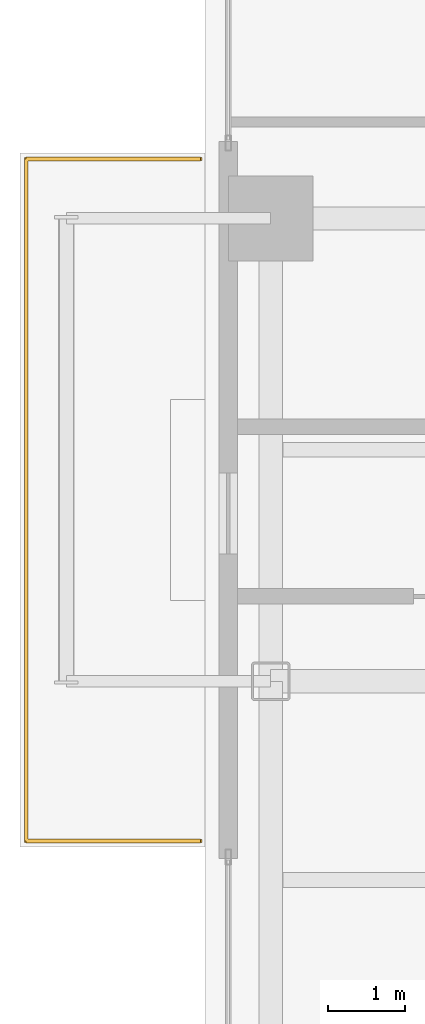
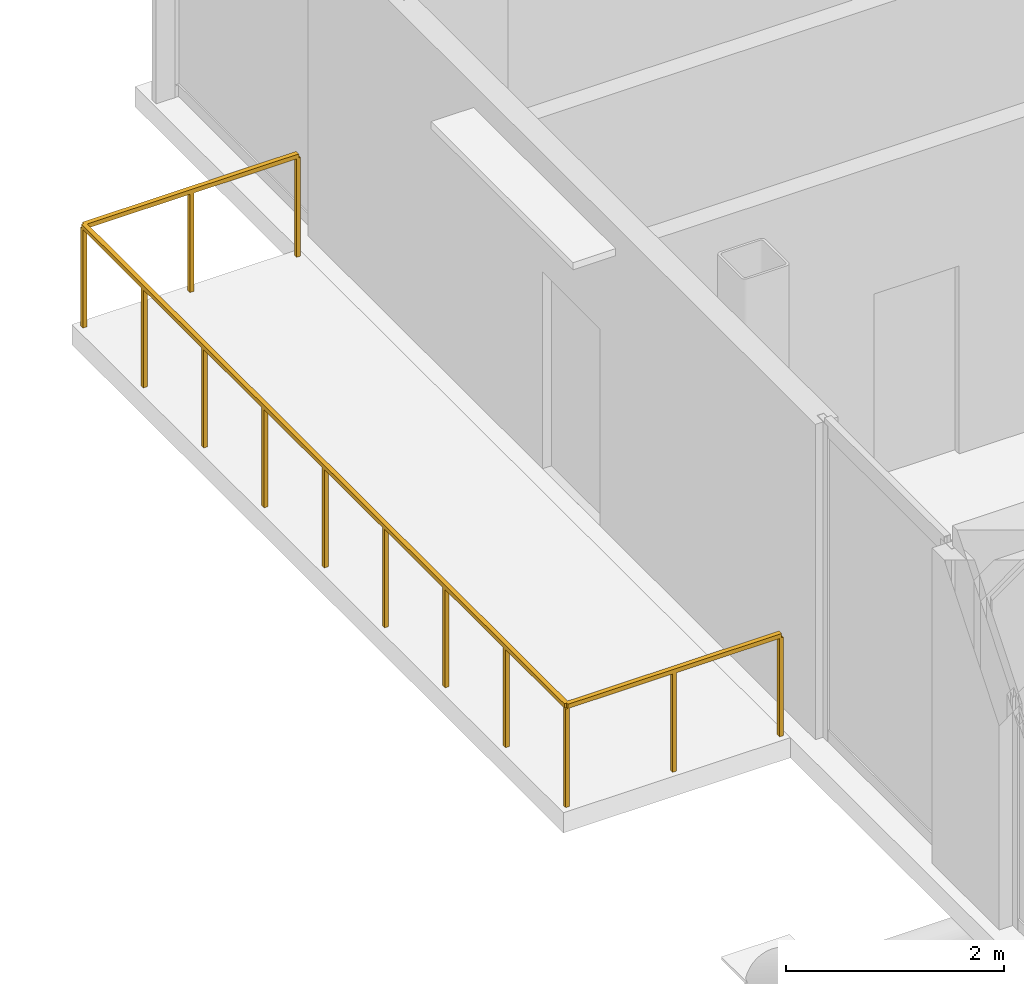
# One storey, part 28 of 28: 1 railing.
"""IFC4 building model written with IfcOpenShell, lengths in metres."""

from ifc_helpers import new_model, si_unit, direction, frame, origin, origin_2d, place, context, subcontext, project, spatial, rectangle, extrude, material, type_object, element, save


model = new_model("IFC4")

# Units and contexts
model_context = context("Model", 3, precision=1e-05, world=origin(), true_north=direction((0.0, 1.0)))
body_context = subcontext(model_context, "Body", "Model", "MODEL_VIEW")
ifc_project = project(units=[si_unit("LENGTHUNIT", "METRE"), si_unit("AREAUNIT", "SQUARE_METRE"), si_unit("VOLUMEUNIT", "CUBIC_METRE"), si_unit("PLANEANGLEUNIT", "RADIAN"), si_unit("MASSUNIT", "GRAM", prefix="KILO"), si_unit("THERMODYNAMICTEMPERATUREUNIT", "KELVIN"), si_unit("POWERUNIT", "WATT")], contexts=[model_context])

# Site, building, storey
site_placement = place(None, origin())
site = spatial("IfcSite", under=ifc_project, at=site_placement, CompositionType="ELEMENT")
building_placement = place(site_placement, origin())
building = spatial("IfcBuilding", under=site, at=building_placement, Name="Svarakhadi Broadcast Tower", CompositionType="ELEMENT")
storey_placement = place(building_placement, frame((0.0, 0.0, 153.14990234375)))
storey = spatial("IfcBuildingStorey", under=building, at=storey_placement, Name="L37", CompositionType="ELEMENT", Elevation=153.14990234375)

# Railing
ifc_material = material(Name="Laminated Structural SentryGlas Balustrade 25.5 mm", Category="glass")
railing_type = type_object("IfcRailingType", Name="Guard_Balcony_GR01", PredefinedType="BALUSTRADE", material=ifc_material)
railing_placement = place(storey_placement, frame((-0.06005859375, 27.080078125, 0.0)))
element("IfcRailing", 1, at=railing_placement, inside=storey, type_object=railing_type, Name="L37 West Tree Balcony Guard GR-05", PredefinedType="BALUSTRADE", context=body_context, shape_type="SweptSolid", body=[
    extrude(rectangle(XDim=0.048095703125, YDim=0.048095703125, at=origin_2d()), frame((0.0, 0.0, 1.1259765625), z_axis=(-1.0, 0.0, 0.0), x_axis=(0.0, -1.0, 0.0)), (0.0, 0.0, 1.0), 2.260009765625),
    extrude(rectangle(XDim=0.048095703125, YDim=0.048095703125, at=origin_2d()), frame((-2.260009765625, 0.0, 1.1259765625), z_axis=(0.0, 1.0, 0.0), x_axis=(-1.0, 0.0, 0.0)), (0.0, 0.0, 1.0), 8.83984375),
    extrude(rectangle(XDim=0.048095703125, YDim=0.048095703125, at=origin_2d()), frame((-2.260009765625, 8.83984375, 1.1259765625), z_axis=(1.0, 0.0, 0.0), x_axis=(0.0, 1.0, 0.0)), (0.0, 0.0, 1.0), 2.260009765625),
    extrude(rectangle(XDim=0.0419921875, YDim=0.0419921875, at=origin_2d()), origin(), (0.0, 0.0, 1.0), 1.101806640625),
    extrude(rectangle(XDim=0.0419921875, YDim=0.0419921875, at=origin_2d()), frame((-1.1298828125, 0.0, 0.0)), (0.0, 0.0, 1.0), 1.101806640625),
    extrude(rectangle(XDim=0.0419921875, YDim=0.0419921875, at=origin_2d()), frame((-2.260009765625, 0.0, 0.0)), (0.0, 0.0, 1.0), 1.101806640625),
    extrude(rectangle(XDim=0.0419921875, YDim=0.0419921875, at=origin_2d()), frame((-2.260009765625, 1.10498046875, 0.0)), (0.0, 0.0, 1.0), 1.101806640625),
    extrude(rectangle(XDim=0.0419921875, YDim=0.0419921875, at=origin_2d()), frame((-2.260009765625, 2.2099609375, 0.0)), (0.0, 0.0, 1.0), 1.101806640625),
    extrude(rectangle(XDim=0.0419921875, YDim=0.0419921875, at=origin_2d()), frame((-2.260009765625, 3.31494140625, 0.0)), (0.0, 0.0, 1.0), 1.101806640625),
    extrude(rectangle(XDim=0.0419921875, YDim=0.0419921875, at=origin_2d()), frame((-2.260009765625, 4.419921875, 0.0)), (0.0, 0.0, 1.0), 1.101806640625),
    extrude(rectangle(XDim=0.0419921875, YDim=0.0419921875, at=origin_2d()), frame((-2.260009765625, 5.52490234375, 0.0)), (0.0, 0.0, 1.0), 1.101806640625),
    extrude(rectangle(XDim=0.0419921875, YDim=0.0419921875, at=origin_2d()), frame((-2.260009765625, 6.6298828125, 0.0)), (0.0, 0.0, 1.0), 1.101806640625),
    extrude(rectangle(XDim=0.0419921875, YDim=0.0419921875, at=origin_2d()), frame((-2.260009765625, 7.73486328125, 0.0)), (0.0, 0.0, 1.0), 1.101806640625),
    extrude(rectangle(XDim=0.0419921875, YDim=0.0419921875, at=origin_2d()), frame((-2.260009765625, 8.83984375, 0.0)), (0.0, 0.0, 1.0), 1.101806640625),
    extrude(rectangle(XDim=0.0419921875, YDim=0.0419921875, at=origin_2d()), frame((-1.1298828125, 8.83984375, 0.0)), (0.0, 0.0, 1.0), 1.101806640625),
    extrude(rectangle(XDim=0.0419921875, YDim=0.0419921875, at=origin_2d()), frame((0.0, 8.83984375, 0.0)), (0.0, 0.0, 1.0), 1.101806640625),
])

save(model, "model.ifc")
